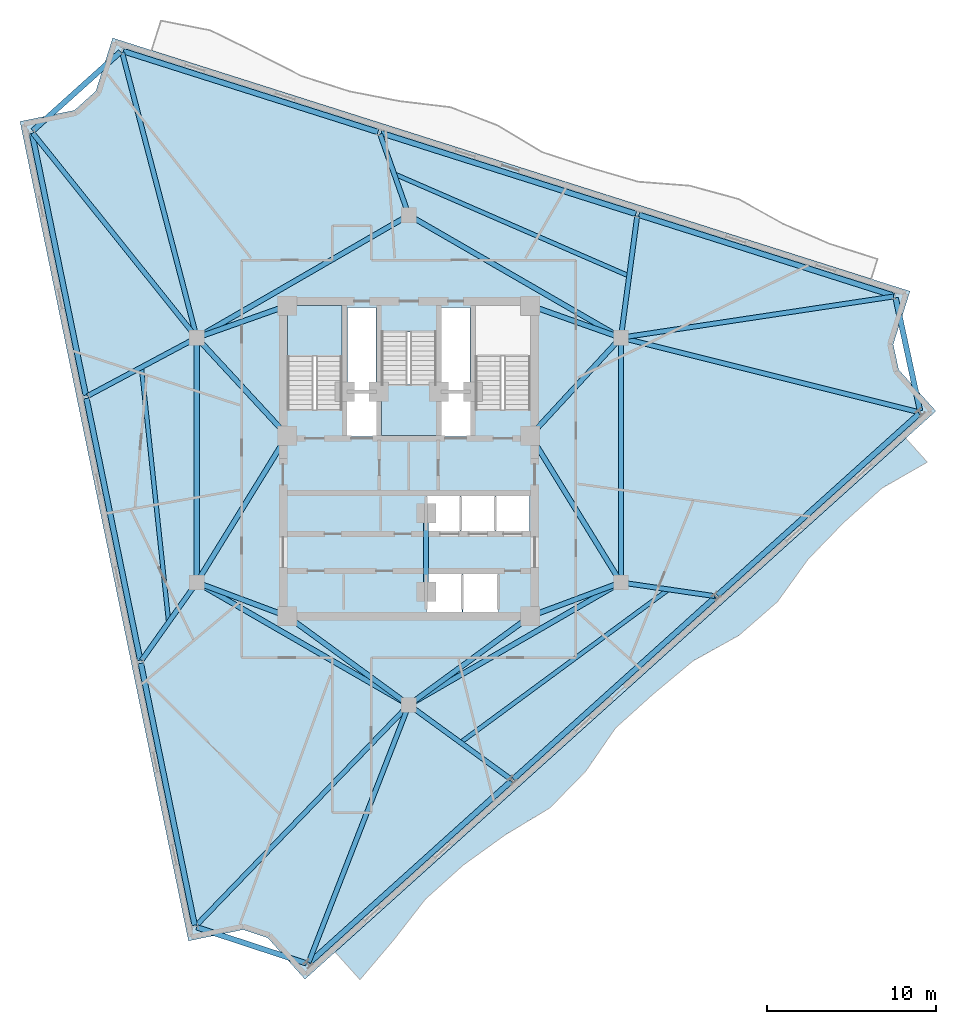
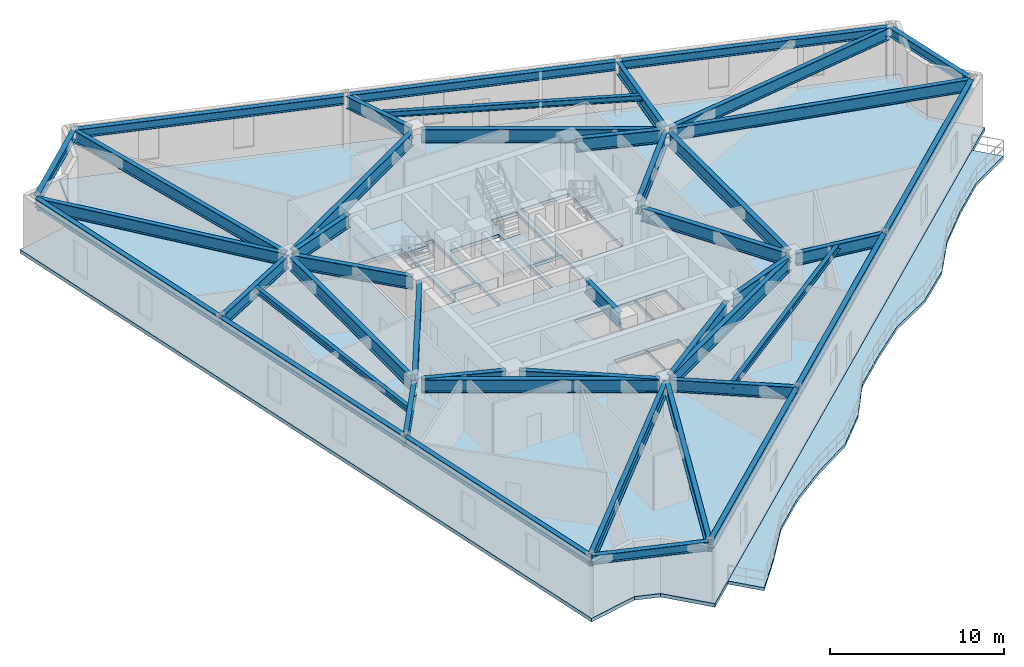
# One storey, part 4 of 11: 44 beams, 4 slabs, 2 elements without a shape of their own.
"""IFC4 building model written with IfcOpenShell, lengths in metres."""

from ifc_helpers import new_model, si_unit, direction, frame, origin, origin_2d, place, context, subcontext, project, spatial, polyline, i_section, outline, extrude, material, layer, layer_set, material_profile, profile_set, type_object, element, aggregate, save


model = new_model("IFC4")

# Units and contexts
model_context = context("Model", 3, precision=1e-05, world=origin(), true_north=direction((0.0, 1.0)))
body_context = subcontext(model_context, "Body", "Model", "MODEL_VIEW")
ifc_project = project(units=[si_unit("LENGTHUNIT", "METRE"), si_unit("AREAUNIT", "SQUARE_METRE"), si_unit("VOLUMEUNIT", "CUBIC_METRE"), si_unit("PLANEANGLEUNIT", "RADIAN"), si_unit("MASSUNIT", "GRAM", prefix="KILO")], contexts=[model_context])

# Site, building, storey
site_placement = place(None, origin())
site = spatial("IfcSite", under=ifc_project, at=site_placement, CompositionType="ELEMENT")
building_placement = place(site_placement, origin())
building = spatial("IfcBuilding", under=site, at=building_placement, Name="Apsidion Concourse Tower", CompositionType="ELEMENT")
storey_placement = place(building_placement, frame((0.0, 0.0, 236.300048828125)))
storey = spatial("IfcBuildingStorey", under=building, at=storey_placement, Name="L55", CompositionType="ELEMENT", Elevation=236.300048828125)

# Beams
ifc_material_1 = material(Name="Structural steel ASTM A992 Grade 50", Category="steel")
ifc_material_profile_1 = material_profile(ifc_material_1, i_section(OverallWidth=0.260009765625, OverallDepth=0.4150390625, WebThickness=0.010009765625, FlangeThickness=0.016845703125, at=origin_2d()), Name="W16X67")
ifc_profile_set_1 = profile_set([ifc_material_profile_1], Name="Structural steel ASTM A992 Grade 50")
beam_type_1 = type_object("IfcBeamType", Name="BM-FL-W16H", PredefinedType="BEAM", material=ifc_profile_set_1)
beam_1_placement = place(storey_placement, frame((-15.83642578125, 5.500732421875, 3.642333984375), z_axis=(0.106172030497, -0.994347776153, 0.0), x_axis=(0.994347776153, 0.106172030497, 0.0)))
element("IfcBeam", 1, at=beam_1_placement, inside=storey, type_object=beam_type_1, Name="L55 Secondary Floor Beam SEC-F1", PredefinedType="BEAM", context=body_context, shape_type="SweptSolid", body=[
    extrude(i_section(OverallWidth=0.260009765625, OverallDepth=0.4150390625, WebThickness=0.010009765625, FlangeThickness=0.016845703125, at=origin_2d()), origin(), (0.0, 0.0, 1.0), 15.18359375),
])
beam_2_placement = place(storey_placement, frame((3.060791015625, -16.727294921875, 3.642333984375), z_axis=(0.80548434449, 0.592617052389, 0.0), x_axis=(-0.592617052389, 0.80548434449, 0.0)))
element("IfcBeam", 2, at=beam_2_placement, inside=storey, type_object=beam_type_1, Name="L55 Secondary Floor Beam SEC-F2", PredefinedType="BEAM", context=body_context, shape_type="SweptSolid", body=[
    extrude(i_section(OverallWidth=0.260009765625, OverallDepth=0.4150390625, WebThickness=0.010009765625, FlangeThickness=0.016845703125, at=origin_2d()), origin(), (0.0, 0.0, 1.0), 15.301025390625),
])
beam_3_placement = place(storey_placement, frame((13.049560546875, 10.901611328125, 3.642333984375), z_axis=(-0.917117371842, 0.398617267897, 0.0), x_axis=(-0.398617267897, -0.917117371842, 0.0)))
element("IfcBeam", 3, at=beam_3_placement, inside=storey, type_object=beam_type_1, Name="L55 Secondary Floor Beam SEC-F3", PredefinedType="BEAM", context=body_context, shape_type="SweptSolid", body=[
    extrude(i_section(OverallWidth=0.260009765625, OverallDepth=0.4150390625, WebThickness=0.010009765625, FlangeThickness=0.016845703125, at=origin_2d()), origin(), (0.0, 0.0, 1.0), 15.173828125),
])
ifc_material_profile_2 = material_profile(ifc_material_1, i_section(OverallWidth=0.2919921875, OverallDepth=0.85888671875, WebThickness=0.01708984375, FlangeThickness=0.031005859375, at=origin_2d()), Name="W33X169")
ifc_profile_set_2 = profile_set([ifc_material_profile_2], Name="Structural steel ASTM A992 Grade 50")
beam_type_2 = type_object("IfcBeamType", Name="BM-G-W33", PredefinedType="USERDEFINED", material=ifc_profile_set_2)
beam_4_placement = place(storey_placement, frame((-12.697509765625, 7.421630859375, 3.42041015625), z_axis=(-0.625472520241, 0.780246196033, 0.0), x_axis=(-0.780246196033, -0.625472520241, 0.0)))
element("IfcBeam", 4, at=beam_4_placement, inside=storey, type_object=beam_type_2, Name="L55 Radial Floor Girder RAD-01", ObjectType="GIRDER", PredefinedType="USERDEFINED", context=body_context, shape_type="SweptSolid", body=[
    extrude(i_section(OverallWidth=0.2919921875, OverallDepth=0.85888671875, WebThickness=0.01708984375, FlangeThickness=0.031005859375, at=origin_2d()), origin(), (0.0, 0.0, 1.0), 15.311767578125),
])
beam_5_placement = place(storey_placement, frame((-12.754150390625, 7.146484375, 3.42041015625), z_axis=(-0.88214083385, -0.470985720861, 0.0), x_axis=(0.470985720861, -0.88214083385, 0.0)))
element("IfcBeam", 5, at=beam_5_placement, inside=storey, type_object=beam_type_2, Name="L55 Radial Floor Girder RAD-02", ObjectType="GIRDER", PredefinedType="USERDEFINED", context=body_context, shape_type="SweptSolid", body=[
    extrude(i_section(OverallWidth=0.2919921875, OverallDepth=0.85888671875, WebThickness=0.01708984375, FlangeThickness=0.031005859375, at=origin_2d()), origin(), (0.0, 0.0, 1.0), 7.1083984375),
])
beam_6_placement = place(storey_placement, frame((-12.687255859375, -7.429443359375, 3.42041015625), z_axis=(-0.578459758238, -0.815710921895, 0.0), x_axis=(0.815710921895, -0.578459758238, 0.0)))
element("IfcBeam", 6, at=beam_6_placement, inside=storey, type_object=beam_type_2, Name="L55 Radial Floor Girder RAD-03", ObjectType="GIRDER", PredefinedType="USERDEFINED", context=body_context, shape_type="SweptSolid", body=[
    extrude(i_section(OverallWidth=0.2919921875, OverallDepth=0.85888671875, WebThickness=0.01708984375, FlangeThickness=0.031005859375, at=origin_2d()), origin(), (0.0, 0.0, 1.0), 5.434326171875),
])
beam_7_placement = place(storey_placement, frame((-0.152587890625, -14.658447265625, 3.42041015625), z_axis=(-0.693982841632, -0.719991538506, 0.0), x_axis=(0.719991538506, -0.693982841632, 0.0)))
element("IfcBeam", 7, at=beam_7_placement, inside=storey, type_object=beam_type_2, Name="L55 Radial Floor Girder RAD-04", ObjectType="GIRDER", PredefinedType="USERDEFINED", context=body_context, shape_type="SweptSolid", body=[
    extrude(i_section(OverallWidth=0.2919921875, OverallDepth=0.85888671875, WebThickness=0.01708984375, FlangeThickness=0.031005859375, at=origin_2d()), origin(), (0.0, 0.0, 1.0), 17.928955078125),
])
beam_8_placement = place(storey_placement, frame((-0.079833984375, -14.705078125, 3.42041015625), z_axis=(-0.36254845311, -0.931964923775, 0.0), x_axis=(0.931964923775, -0.36254845311, 0.0)))
element("IfcBeam", 8, at=beam_8_placement, inside=storey, type_object=beam_type_2, Name="L55 Radial Floor Girder RAD-05", ObjectType="GIRDER", PredefinedType="USERDEFINED", context=body_context, shape_type="SweptSolid", body=[
    extrude(i_section(OverallWidth=0.2919921875, OverallDepth=0.85888671875, WebThickness=0.01708984375, FlangeThickness=0.031005859375, at=origin_2d()), origin(), (0.0, 0.0, 1.0), 16.14013671875),
])
beam_9_placement = place(storey_placement, frame((0.177978515625, -14.62939453125, 3.42041015625), z_axis=(0.808567158699, -0.588403900288, 0.0), x_axis=(0.588403900288, 0.808567158699, 0.0)))
element("IfcBeam", 9, at=beam_9_placement, inside=storey, type_object=beam_type_2, Name="L55 Radial Floor Girder RAD-06", ObjectType="GIRDER", PredefinedType="USERDEFINED", context=body_context, shape_type="SweptSolid", body=[
    extrude(i_section(OverallWidth=0.2919921875, OverallDepth=0.85888671875, WebThickness=0.01708984375, FlangeThickness=0.031005859375, at=origin_2d()), origin(), (0.0, 0.0, 1.0), 7.251220703125),
])
beam_10_placement = place(storey_placement, frame((12.777587890625, -7.281494140625, 3.42041015625), z_axis=(0.98964652534, -0.143526147032, 0.0), x_axis=(0.143526147032, 0.98964652534, 0.0)))
element("IfcBeam", 10, at=beam_10_placement, inside=storey, type_object=beam_type_2, Name="L55 Radial Floor Girder RAD-07", ObjectType="GIRDER", PredefinedType="USERDEFINED", context=body_context, shape_type="SweptSolid", body=[
    extrude(i_section(OverallWidth=0.2919921875, OverallDepth=0.85888671875, WebThickness=0.01708984375, FlangeThickness=0.031005859375, at=origin_2d()), origin(), (0.0, 0.0, 1.0), 5.390625),
])
beam_11_placement = place(storey_placement, frame((12.7734375, 7.19677734375, 3.42041015625), z_axis=(0.97015368983, -0.242490861907, 0.0), x_axis=(0.242490861907, 0.97015368983, 0.0)))
element("IfcBeam", 11, at=beam_11_placement, inside=storey, type_object=beam_type_2, Name="L55 Radial Floor Girder RAD-08", ObjectType="GIRDER", PredefinedType="USERDEFINED", context=body_context, shape_type="SweptSolid", body=[
    extrude(i_section(OverallWidth=0.2919921875, OverallDepth=0.85888671875, WebThickness=0.01708984375, FlangeThickness=0.031005859375, at=origin_2d()), origin(), (0.0, 0.0, 1.0), 17.96630859375),
])
beam_12_placement = place(storey_placement, frame((12.777587890625, 7.282958984375, 3.42041015625), z_axis=(0.988774311252, 0.149416737377, 0.0), x_axis=(-0.149416737377, 0.988774311252, 0.0)))
element("IfcBeam", 12, at=beam_12_placement, inside=storey, type_object=beam_type_2, Name="L55 Radial Floor Girder RAD-09", ObjectType="GIRDER", PredefinedType="USERDEFINED", context=body_context, shape_type="SweptSolid", body=[
    extrude(i_section(OverallWidth=0.2919921875, OverallDepth=0.85888671875, WebThickness=0.01708984375, FlangeThickness=0.031005859375, at=origin_2d()), origin(), (0.0, 0.0, 1.0), 16.11572265625),
])
beam_13_placement = place(storey_placement, frame((12.589111328125, 7.468017578125, 3.42041015625), z_axis=(0.13290103696, 0.99112931264, 0.0), x_axis=(-0.99112931264, 0.13290103696, 0.0)))
element("IfcBeam", 13, at=beam_13_placement, inside=storey, type_object=beam_type_2, Name="L55 Radial Floor Girder RAD-10", ObjectType="GIRDER", PredefinedType="USERDEFINED", context=body_context, shape_type="SweptSolid", body=[
    extrude(i_section(OverallWidth=0.2919921875, OverallDepth=0.85888671875, WebThickness=0.01708984375, FlangeThickness=0.031005859375, at=origin_2d()), origin(), (0.0, 0.0, 1.0), 7.048583984375),
])
beam_14_placement = place(storey_placement, frame((-0.073486328125, 14.70751953125, 3.42041015625), z_axis=(-0.333398660175, 0.94278594251, 0.0), x_axis=(-0.94278594251, -0.333398660175, 0.0)))
element("IfcBeam", 14, at=beam_14_placement, inside=storey, type_object=beam_type_2, Name="L55 Radial Floor Girder RAD-11", ObjectType="GIRDER", PredefinedType="USERDEFINED", context=body_context, shape_type="SweptSolid", body=[
    extrude(i_section(OverallWidth=0.2919921875, OverallDepth=0.85888671875, WebThickness=0.01708984375, FlangeThickness=0.031005859375, at=origin_2d()), origin(), (0.0, 0.0, 1.0), 4.877685546875),
])
beam_15_placement = place(storey_placement, frame((-12.61572265625, 7.462890625, 3.42041015625), z_axis=(-0.253011847296, 0.967463180244, 0.0), x_axis=(-0.967463180244, -0.253011847296, 0.0)))
element("IfcBeam", 15, at=beam_15_placement, inside=storey, type_object=beam_type_2, Name="L55 Radial Floor Girder RAD-12", ObjectType="GIRDER", PredefinedType="USERDEFINED", context=body_context, shape_type="SweptSolid", body=[
    extrude(i_section(OverallWidth=0.2919921875, OverallDepth=0.85888671875, WebThickness=0.01708984375, FlangeThickness=0.031005859375, at=origin_2d()), origin(), (0.0, 0.0, 1.0), 17.249267578125),
])
ifc_material_profile_3 = material_profile(ifc_material_1, i_section(OverallWidth=0.31005859375, OverallDepth=0.931884765625, WebThickness=0.02099609375, FlangeThickness=0.034423828125, at=origin_2d()), Name="W36X210")
ifc_profile_set_3 = profile_set([ifc_material_profile_3], Name="Structural steel ASTM A992 Grade 50")
beam_type_3 = type_object("IfcBeamType", Name="BM-G-W36", PredefinedType="USERDEFINED", material=ifc_profile_set_3)
beam_16_placement = place(storey_placement, frame((-12.185302734375, -7.389892578125, 3.384033203125), z_axis=(0.936913021145, -0.349562570664, 0.0), x_axis=(0.349562570664, 0.936913021145, 0.0)))
element("IfcBeam", 16, at=beam_16_placement, inside=storey, type_object=beam_type_3, Name="L55 Core Coupling Girder IC1-SC1", ObjectType="GIRDER", PredefinedType="USERDEFINED", context=body_context, shape_type="SweptSolid", body=[
    extrude(i_section(OverallWidth=0.31005859375, OverallDepth=0.931884765625, WebThickness=0.02099609375, FlangeThickness=0.034423828125, at=origin_2d()), origin(), (0.0, 0.0, 1.0), 4.921142578125),
])
beam_17_placement = place(storey_placement, frame((-12.35009765625, -6.909423828125, 3.384033203125), z_axis=(0.524524009763, 0.851395656074, 0.0), x_axis=(-0.851395656074, 0.524524009763, 0.0)))
element("IfcBeam", 17, at=beam_17_placement, inside=storey, type_object=beam_type_3, Name="L55 Core Coupling Girder IC1-SC6", ObjectType="GIRDER", PredefinedType="USERDEFINED", context=body_context, shape_type="SweptSolid", body=[
    extrude(i_section(OverallWidth=0.31005859375, OverallDepth=0.931884765625, WebThickness=0.02099609375, FlangeThickness=0.034423828125, at=origin_2d()), origin(), (0.0, 0.0, 1.0), 9.41845703125),
])
beam_18_placement = place(storey_placement, frame((12.185302734375, -7.389892578125, 3.384033203125), z_axis=(-0.936913021145, -0.349562570664, 0.0), x_axis=(0.349562570664, -0.936913021145, 0.0)))
element("IfcBeam", 18, at=beam_18_placement, inside=storey, type_object=beam_type_3, Name="L55 Core Coupling Girder IC2-SC2", ObjectType="GIRDER", PredefinedType="USERDEFINED", context=body_context, shape_type="SweptSolid", body=[
    extrude(i_section(OverallWidth=0.31005859375, OverallDepth=0.931884765625, WebThickness=0.02099609375, FlangeThickness=0.034423828125, at=origin_2d()), origin(), (0.0, 0.0, 1.0), 4.921142578125),
])
beam_19_placement = place(storey_placement, frame((12.35009765625, -6.909423828125, 3.384033203125), z_axis=(-0.524524009763, 0.851395656074, 0.0), x_axis=(-0.851395656074, -0.524524009763, 0.0)))
element("IfcBeam", 19, at=beam_19_placement, inside=storey, type_object=beam_type_3, Name="L55 Core Coupling Girder IC2-SC3", ObjectType="GIRDER", PredefinedType="USERDEFINED", context=body_context, shape_type="SweptSolid", body=[
    extrude(i_section(OverallWidth=0.31005859375, OverallDepth=0.931884765625, WebThickness=0.02099609375, FlangeThickness=0.034423828125, at=origin_2d()), origin(), (0.0, 0.0, 1.0), 9.41845703125),
])
beam_20_placement = place(storey_placement, frame((12.28857421875, 6.956298828125, 3.384033203125), z_axis=(-0.678712876106, -0.73440372535, 0.0), x_axis=(0.73440372535, -0.678712876106, 0.0)))
element("IfcBeam", 20, at=beam_20_placement, inside=storey, type_object=beam_type_3, Name="L55 Core Coupling Girder IC3-SC3", ObjectType="GIRDER", PredefinedType="USERDEFINED", context=body_context, shape_type="SweptSolid", body=[
    extrude(i_section(OverallWidth=0.31005859375, OverallDepth=0.931884765625, WebThickness=0.02099609375, FlangeThickness=0.034423828125, at=origin_2d()), origin(), (0.0, 0.0, 1.0), 7.097412109375),
])
beam_21_placement = place(storey_placement, frame((12.18310546875, 7.383544921875, 3.384033203125), z_axis=(-0.942533844539, 0.334110688094, 0.0), x_axis=(-0.334110688094, -0.942533844539, 0.0)))
element("IfcBeam", 21, at=beam_21_placement, inside=storey, type_object=beam_type_3, Name="L55 Core Coupling Girder IC3-SC4", ObjectType="GIRDER", PredefinedType="USERDEFINED", context=body_context, shape_type="SweptSolid", body=[
    extrude(i_section(OverallWidth=0.31005859375, OverallDepth=0.931884765625, WebThickness=0.02099609375, FlangeThickness=0.034423828125, at=origin_2d()), origin(), (0.0, 0.0, 1.0), 4.886962890625),
])
beam_22_placement = place(storey_placement, frame((-12.28857421875, 6.956298828125, 3.384033203125), z_axis=(0.678712876106, -0.73440372535, 0.0), x_axis=(0.73440372535, 0.678712876106, 0.0)))
element("IfcBeam", 22, at=beam_22_placement, inside=storey, type_object=beam_type_3, Name="L55 Core Coupling Girder IC5-SC6", ObjectType="GIRDER", PredefinedType="USERDEFINED", context=body_context, shape_type="SweptSolid", body=[
    extrude(i_section(OverallWidth=0.31005859375, OverallDepth=0.931884765625, WebThickness=0.02099609375, FlangeThickness=0.034423828125, at=origin_2d()), origin(), (0.0, 0.0, 1.0), 7.097412109375),
])
beam_23_placement = place(storey_placement, frame((-12.18310546875, 7.383544921875, 3.384033203125), z_axis=(0.942533844539, 0.334110688094, 0.0), x_axis=(-0.334110688094, 0.942533844539, 0.0)))
element("IfcBeam", 23, at=beam_23_placement, inside=storey, type_object=beam_type_3, Name="L55 Core Coupling Girder IC5-SC5", ObjectType="GIRDER", PredefinedType="USERDEFINED", context=body_context, shape_type="SweptSolid", body=[
    extrude(i_section(OverallWidth=0.31005859375, OverallDepth=0.931884765625, WebThickness=0.02099609375, FlangeThickness=0.034423828125, at=origin_2d()), origin(), (0.0, 0.0, 1.0), 4.886962890625),
])
for number, where, z_axis, x_axis, name in (
    (24, (-0.3232421875, -14.264404296875, 3.384033203125), (-0.807993498909, 0.589191399905, 0.0), (-0.589191399905, -0.807993498909, 0.0), "L55 Core Coupling Girder IC6-SC1"),
    (25, (0.3232421875, -14.264404296875, 3.384033203125), (0.807993498909, 0.589191399905, 0.0), (-0.589191399905, 0.807993498909, 0.0), "L55 Core Coupling Girder IC6-SC2"),
):
    element("IfcBeam", number, at=place(storey_placement, frame(where, z_axis=z_axis, x_axis=x_axis)), inside=storey, type_object=beam_type_3, Name=name, ObjectType="GIRDER", PredefinedType="USERDEFINED", context=body_context, shape_type="SweptSolid", body=[
        extrude(i_section(OverallWidth=0.31005859375, OverallDepth=0.931884765625, WebThickness=0.02099609375, FlangeThickness=0.034423828125, at=origin_2d()), origin(), (0.0, 0.0, 1.0), 8.11083984375),
    ])
beam_24_placement = place(storey_placement, frame((-12.56005859375, -6.85009765625, 3.384033203125), z_axis=(0.0, 1.0, 0.0), x_axis=(-1.0, 0.0, 0.0)))
element("IfcBeam", 26, at=beam_24_placement, inside=storey, type_object=beam_type_3, Name="L55 Core Coupling Girder IC1-IC5", ObjectType="GIRDER", PredefinedType="USERDEFINED", context=body_context, shape_type="SweptSolid", body=[
    extrude(i_section(OverallWidth=0.31005859375, OverallDepth=0.931884765625, WebThickness=0.02099609375, FlangeThickness=0.034423828125, at=origin_2d()), origin(), (0.0, 0.0, 1.0), 13.7001953125),
])
for number, where, z_axis, x_axis, name in (
    (27, (-12.213623046875, 7.449951171875, 3.384033203125), (0.866070471464, 0.499921932364, 0.0), (-0.499921932364, 0.866070471464, 0.0), "L55 Core Coupling Girder IC5-IC4"),
    (28, (0.346435546875, 14.300048828125, 3.384033203125), (0.866070471464, -0.499921932364, 0.0), (0.499921932364, 0.866070471464, 0.0), "L55 Core Coupling Girder IC4-IC3"),
):
    element("IfcBeam", number, at=place(storey_placement, frame(where, z_axis=z_axis, x_axis=x_axis)), inside=storey, type_object=beam_type_3, Name=name, ObjectType="GIRDER", PredefinedType="USERDEFINED", context=body_context, shape_type="SweptSolid", body=[
        extrude(i_section(OverallWidth=0.31005859375, OverallDepth=0.931884765625, WebThickness=0.02099609375, FlangeThickness=0.034423828125, at=origin_2d()), origin(), (0.0, 0.0, 1.0), 13.702392578125),
    ])
beam_25_placement = place(storey_placement, frame((12.56005859375, 6.85009765625, 3.384033203125), z_axis=(0.0, -1.0, 0.0), x_axis=(1.0, 0.0, 0.0)))
element("IfcBeam", 29, at=beam_25_placement, inside=storey, type_object=beam_type_3, Name="L55 Core Coupling Girder IC3-IC2", ObjectType="GIRDER", PredefinedType="USERDEFINED", context=body_context, shape_type="SweptSolid", body=[
    extrude(i_section(OverallWidth=0.31005859375, OverallDepth=0.931884765625, WebThickness=0.02099609375, FlangeThickness=0.034423828125, at=origin_2d()), origin(), (0.0, 0.0, 1.0), 13.7001953125),
])
for number, where, z_axis, x_axis, name in (
    (30, (12.213623046875, -7.449951171875, 3.384033203125), (-0.866070471464, -0.499921932364, 0.0), (0.499921932364, -0.866070471464, 0.0), "L55 Core Coupling Girder IC2-IC6"),
    (31, (-0.346435546875, -14.300048828125, 3.384033203125), (-0.866070471464, 0.499921932364, 0.0), (-0.499921932364, -0.866070471464, 0.0), "L55 Core Coupling Girder IC6-IC1"),
):
    element("IfcBeam", number, at=place(storey_placement, frame(where, z_axis=z_axis, x_axis=x_axis)), inside=storey, type_object=beam_type_3, Name=name, ObjectType="GIRDER", PredefinedType="USERDEFINED", context=body_context, shape_type="SweptSolid", body=[
        extrude(i_section(OverallWidth=0.31005859375, OverallDepth=0.931884765625, WebThickness=0.02099609375, FlangeThickness=0.034423828125, at=origin_2d()), origin(), (0.0, 0.0, 1.0), 13.702392578125),
    ])
beam_26_placement = place(storey_placement, frame((1.02490234375, -3.550048828125, 3.384033203125), z_axis=(0.0, -1.0, 0.0), x_axis=(1.0, 0.0, 0.0)))
element("IfcBeam", 32, at=beam_26_placement, inside=storey, type_object=beam_type_3, Name="L55 Core Coupling Girder CC5-CC6", ObjectType="GIRDER", PredefinedType="USERDEFINED", context=body_context, shape_type="SweptSolid", body=[
    extrude(i_section(OverallWidth=0.31005859375, OverallDepth=0.931884765625, WebThickness=0.02099609375, FlangeThickness=0.034423828125, at=origin_2d()), origin(), (0.0, 0.0, 1.0), 3.849853515625),
])
ifc_material_profile_4 = material_profile(ifc_material_1, i_section(OverallWidth=0.324951171875, OverallDepth=0.616943359375, WebThickness=0.013916015625, FlangeThickness=0.021484375, at=origin_2d()), Name="W24X117")
ifc_profile_set_4 = profile_set([ifc_material_profile_4], Name="Structural steel ASTM A992 Grade 50")
beam_type_4 = type_object("IfcBeamType", Name="BM-SP-W24", PredefinedType="SPANDREL", material=ifc_profile_set_4)
beam_27_placement = place(storey_placement, frame((-22.317138671875, 19.3486328125, 3.54150390625), z_axis=(0.201231912796, -0.979543627039, 0.0), x_axis=(0.979543627039, 0.201231912796, 0.0)))
element("IfcBeam", 33, at=beam_27_placement, inside=storey, type_object=beam_type_4, Name="L55 Perimeter Spandrel Girder SP-01", PredefinedType="SPANDREL", context=body_context, shape_type="SweptSolid", body=[
    extrude(i_section(OverallWidth=0.324951171875, OverallDepth=0.616943359375, WebThickness=0.013916015625, FlangeThickness=0.021484375, at=origin_2d()), origin(), (0.0, 0.0, 1.0), 15.822998046875),
])
beam_28_placement = place(storey_placement, frame((-19.0927734375, 3.6533203125, 3.54150390625), z_axis=(0.201234954239, -0.979543002217, 0.0), x_axis=(0.979543002217, 0.201234954239, 0.0)))
element("IfcBeam", 34, at=beam_28_placement, inside=storey, type_object=beam_type_4, Name="L55 Perimeter Spandrel Girder SP-02", PredefinedType="SPANDREL", context=body_context, shape_type="SweptSolid", body=[
    extrude(i_section(OverallWidth=0.324951171875, OverallDepth=0.616943359375, WebThickness=0.013916015625, FlangeThickness=0.021484375, at=origin_2d()), origin(), (0.0, 0.0, 1.0), 15.82275390625),
])
beam_29_placement = place(storey_placement, frame((-15.86865234375, -12.041748046875, 3.54150390625), z_axis=(0.201231912796, -0.979543627039, 0.0), x_axis=(0.979543627039, 0.201231912796, 0.0)))
element("IfcBeam", 35, at=beam_29_placement, inside=storey, type_object=beam_type_4, Name="L55 Perimeter Spandrel Girder SP-03", PredefinedType="SPANDREL", context=body_context, shape_type="SweptSolid", body=[
    extrude(i_section(OverallWidth=0.324951171875, OverallDepth=0.616943359375, WebThickness=0.013916015625, FlangeThickness=0.021484375, at=origin_2d()), origin(), (0.0, 0.0, 1.0), 15.822998046875),
])
beam_30_placement = place(storey_placement, frame((-12.5693359375, -27.67041015625, 3.54150390625), z_axis=(0.950000938621, -0.312247044211, 0.0), x_axis=(0.312247044211, 0.950000938621, 0.0)))
element("IfcBeam", 36, at=beam_30_placement, inside=storey, type_object=beam_type_4, Name="L55 Perimeter Spandrel Girder SP-04", PredefinedType="SPANDREL", context=body_context, shape_type="SweptSolid", body=[
    extrude(i_section(OverallWidth=0.324951171875, OverallDepth=0.616943359375, WebThickness=0.013916015625, FlangeThickness=0.021484375, at=origin_2d()), origin(), (0.0, 0.0, 1.0), 6.849365234375),
])
for number, where, z_axis, x_axis, name in (
    (37, (-5.893310546875, -29.773193359375, 3.54150390625), (0.743150581284, 0.669124213833, 0.0), (-0.669124213833, 0.743150581284, 0.0), "L55 Perimeter Spandrel Girder SP-05"),
    (38, (6.196044921875, -18.887939453125, 3.54150390625), (0.743150581284, 0.669124213833, 0.0), (-0.669124213833, 0.743150581284, 0.0), "L55 Perimeter Spandrel Girder SP-06"),
    (39, (18.285400390625, -8.002685546875, 3.54150390625), (0.743150581284, 0.669124213833, 0.0), (-0.669124213833, 0.743150581284, 0.0), "L55 Perimeter Spandrel Girder SP-07"),
):
    element("IfcBeam", number, at=place(storey_placement, frame(where, z_axis=z_axis, x_axis=x_axis)), inside=storey, type_object=beam_type_4, Name=name, PredefinedType="SPANDREL", context=body_context, shape_type="SweptSolid", body=[
        extrude(i_section(OverallWidth=0.324951171875, OverallDepth=0.616943359375, WebThickness=0.013916015625, FlangeThickness=0.021484375, at=origin_2d()), origin(), (0.0, 0.0, 1.0), 16.06787109375),
    ])
beam_31_placement = place(storey_placement, frame((30.279541015625, 2.91357421875, 3.54150390625), z_axis=(-0.211269287353, 0.977427894129, 0.0), x_axis=(-0.977427894129, -0.211269287353, 0.0)))
element("IfcBeam", 40, at=beam_31_placement, inside=storey, type_object=beam_type_4, Name="L55 Perimeter Spandrel Girder SP-08", PredefinedType="SPANDREL", context=body_context, shape_type="SweptSolid", body=[
    extrude(i_section(OverallWidth=0.324951171875, OverallDepth=0.616943359375, WebThickness=0.013916015625, FlangeThickness=0.021484375, at=origin_2d()), origin(), (0.0, 0.0, 1.0), 6.84912109375),
])
for number, where, z_axis, x_axis, name in (
    (41, (28.716064453125, 9.736083984375, 3.54150390625), (-0.953145595639, 0.302511939458, 0.0), (-0.302511939458, -0.953145595639, 0.0), "L55 Perimeter Spandrel Girder SP-09"),
    (42, (13.44384765625, 14.58349609375, 3.54150390625), (-0.953145595639, 0.302511939458, 0.0), (-0.302511939458, -0.953145595639, 0.0), "L55 Perimeter Spandrel Girder SP-10"),
    (43, (-1.828369140625, 19.4306640625, 3.54150390625), (-0.953145595639, 0.302511939458, 0.0), (-0.302511939458, -0.953145595639, 0.0), "L55 Perimeter Spandrel Girder SP-11"),
):
    element("IfcBeam", number, at=place(storey_placement, frame(where, z_axis=z_axis, x_axis=x_axis)), inside=storey, type_object=beam_type_4, Name=name, PredefinedType="SPANDREL", context=body_context, shape_type="SweptSolid", body=[
        extrude(i_section(OverallWidth=0.324951171875, OverallDepth=0.616943359375, WebThickness=0.013916015625, FlangeThickness=0.021484375, at=origin_2d()), origin(), (0.0, 0.0, 1.0), 15.822998046875),
    ])
beam_32_placement = place(storey_placement, frame((-17.07958984375, 24.1806640625, 3.54150390625), z_axis=(-0.743153149962, -0.669121360966, 0.0), x_axis=(0.669121360966, -0.743153149962, 0.0)))
element("IfcBeam", 44, at=beam_32_placement, inside=storey, type_object=beam_type_4, Name="L55 Perimeter Spandrel Girder SP-12", PredefinedType="SPANDREL", context=body_context, shape_type="SweptSolid", body=[
    extrude(i_section(OverallWidth=0.324951171875, OverallDepth=0.616943359375, WebThickness=0.013916015625, FlangeThickness=0.021484375, at=origin_2d()), origin(), (0.0, 0.0, 1.0), 6.974853515625),
])

# Slabs
ifc_material_2 = material(Name="Concrete C50/60", Category="concrete")
ifc_layer_1 = layer(ifc_material_2, 0.219970703125)
ifc_layer_set_1 = layer_set([ifc_layer_1], Name="Concrete C50/60")
slab_type_1 = type_object("IfcSlabType", Name="SL-BAL-220", PredefinedType="FLOOR", material=ifc_layer_set_1)
slab_1_placement = place(storey_placement, frame((0.0, 0.0, -0.219970703125)))
element("IfcSlab", 45, at=slab_1_placement, inside=storey, type_object=slab_type_1, Name="L55 Face 2 Rippling Balcony Slab", PredefinedType="FLOOR", context=body_context, shape_type="SweptSolid", body=[
    extrude(outline(polyline([(-4.364501953125, -29.136962890625), (-2.111328125, -27.108154296875), (0.141845703125, -25.079345703125), (2.39501953125, -23.050537109375), (4.648193359375, -21.021728515625), (6.901611328125, -18.992919921875), (9.15478515625, -16.964111328125), (11.407958984375, -14.935302734375), (13.6611328125, -12.906494140625), (15.914306640625, -10.877685546875), (18.16748046875, -8.848876953125), (20.420654296875, -6.820068359375), (22.673828125, -4.791259765625), (24.927001953125, -2.762451171875), (27.180419921875, -0.733642578125), (29.43359375, 1.295166015625), (30.70947265625, -0.1220703125), (28.016845703125, -1.66259765625), (25.763671875, -3.69140625), (23.645751953125, -5.87060546875), (21.8330078125, -8.388671875), (19.54833984375, -10.382568359375), (16.831298828125, -11.896240234375), (14.49755859375, -13.83544921875), (12.244384765625, -15.8642578125), (10.475341796875, -18.430908203125), (8.35009765625, -20.601806640625), (5.707275390625, -22.197998046875), (3.2314453125, -23.9794921875), (0.978271484375, -26.00830078125), (-0.912841796875, -28.439208984375), (-2.892578125, -30.77197265625), (-4.364501953125, -29.136962890625)])), origin(), (0.0, 0.0, 1.0), 0.219970703125),
])
ifc_layer_2 = layer(ifc_material_2, 0.25)
ifc_layer_set_2 = layer_set([ifc_layer_2], Name="Concrete C50/60")
slab_type_2 = type_object("IfcSlabType", Name="SL-FLR-250", PredefinedType="FLOOR", material=ifc_layer_set_2)
slab_2_placement = place(storey_placement, frame((0.0, 0.0, -0.25)))
element("IfcSlab", 46, at=slab_2_placement, inside=storey, type_object=slab_type_2, Name="L55 Structural Floor Slab", PredefinedType="FLOOR", context=body_context, shape_type="SweptSolid", body=[
    extrude(outline(polyline([(-17.537353515625, 24.998779296875), (-18.535400390625, 21.8564453125), (-19.79931640625, 20.718505859375), (-23.02880859375, 20.05419921875), (-13.048828125, -28.475341796875), (-9.819580078125, -27.811279296875), (-8.354248046875, -28.292724609375), (-6.148193359375, -30.742919921875), (31.217041015625, 2.90087890625), (29.010986328125, 5.35107421875), (28.685302734375, 6.858642578125), (29.683349609375, 10.0009765625), (-17.537353515625, 24.998779296875)]), holes=[polyline([(-3.949951171875, 3.0), (-3.949951171875, 9.14990234375), (-7.199951171875, 9.14990234375), (-7.199951171875, 3.0), (-3.949951171875, 3.0)]), polyline([(7.199951171875, 3.0), (7.199951171875, 9.14990234375), (3.949951171875, 9.14990234375), (3.949951171875, 3.0), (7.199951171875, 3.0)]), polyline([(-1.625, 7.60009765625), (-1.625, 1.449951171875), (1.625, 1.449951171875), (1.625, 7.60009765625), (-1.625, 7.60009765625)]), polyline([(1.054931640625, -4.300048828125), (3.044921875, -4.300048828125), (3.044921875, -2.050048828125), (1.054931640625, -2.050048828125), (1.054931640625, -4.300048828125)]), polyline([(3.10498046875, -4.300048828125), (5.094970703125, -4.300048828125), (5.094970703125, -2.050048828125), (3.10498046875, -2.050048828125), (3.10498046875, -4.300048828125)]), polyline([(5.155029296875, -4.300048828125), (7.14501953125, -4.300048828125), (7.14501953125, -2.050048828125), (5.155029296875, -2.050048828125), (5.155029296875, -4.300048828125)]), polyline([(1.044921875, -9.0), (3.155029296875, -9.0), (3.155029296875, -6.64990234375), (1.044921875, -6.64990234375), (1.044921875, -9.0)]), polyline([(3.195068359375, -9.0), (5.304931640625, -9.0), (5.304931640625, -6.64990234375), (3.195068359375, -6.64990234375), (3.195068359375, -9.0)]), polyline([(-3.7099609375, 1.39990234375), (-1.85009765625, 1.39990234375), (-1.85009765625, 4.0), (-3.7099609375, 4.0), (-3.7099609375, 1.39990234375)]), polyline([(1.85009765625, 1.39990234375), (3.7099609375, 1.39990234375), (3.7099609375, 4.0), (1.85009765625, 4.0), (1.85009765625, 1.39990234375)]), polyline([(-3.6201171875, 4.14990234375), (-1.93994140625, 4.14990234375), (-1.93994140625, 9.050048828125), (-3.6201171875, 9.050048828125), (-3.6201171875, 4.14990234375)]), polyline([(1.93994140625, 4.14990234375), (3.6201171875, 4.14990234375), (3.6201171875, 9.050048828125), (1.93994140625, 9.050048828125), (1.93994140625, 4.14990234375)])]), origin(), (0.0, 0.0, 1.0), 0.25),
])

# Stair, slab
ifc_material_3 = material(Name="Precast concrete C40/50", Category="concrete")
stair_type = type_object("IfcStairType", Name="ST-DL-1550", PredefinedType="HALF_TURN_STAIR", material=ifc_material_3)
stair_1_placement = place(storey_placement, origin())
stair_1 = element("IfcStair", 47, at=stair_1_placement, inside=storey, type_object=stair_type, Name="L55 Protected Core Exit Stair ST1", PredefinedType="HALF_TURN_STAIR")
ifc_layer_3 = layer(ifc_material_2, 0.199951171875)
ifc_layer_set_3 = layer_set([ifc_layer_3], Name="Concrete C50/60")
slab_type_3 = type_object("IfcSlabType", Name="SL-ST-LAND-200", PredefinedType="LANDING", material=ifc_layer_set_3)
slab_3_placement = place(storey_placement, frame((0.0, 0.0, 1.849853515625)))
slab_3 = element("IfcSlab", 48, at=slab_3_placement, type_object=slab_type_3, Name="ST1 landing 1", PredefinedType="LANDING", context=body_context, shape_type="SweptSolid", body=[
    extrude(outline(polyline([(-3.949951171875, 6.135009765625), (-3.949951171875, 9.14990234375), (-7.199951171875, 9.14990234375), (-7.199951171875, 6.135009765625), (-3.949951171875, 6.135009765625)])), origin(), (0.0, 0.0, 1.0), 0.2001953125),
])
aggregate(stair_1, [slab_3])

stair_2_placement = place(storey_placement, origin())
stair_2 = element("IfcStair", 49, at=stair_2_placement, inside=storey, type_object=stair_type, Name="L55 Protected Core Exit Stair ST3", PredefinedType="HALF_TURN_STAIR")
slab_4_placement = place(storey_placement, frame((0.0, 0.0, 1.849853515625)))
slab_4 = element("IfcSlab", 50, at=slab_4_placement, type_object=slab_type_3, Name="ST3 landing 1", PredefinedType="LANDING", context=body_context, shape_type="SweptSolid", body=[
    extrude(outline(polyline([(-1.625, 4.465087890625), (-1.625, 1.449951171875), (1.625, 1.449951171875), (1.625, 4.465087890625), (-1.625, 4.465087890625)])), origin(), (0.0, 0.0, 1.0), 0.2001953125),
])
aggregate(stair_2, [slab_4])

save(model, "model.ifc")
